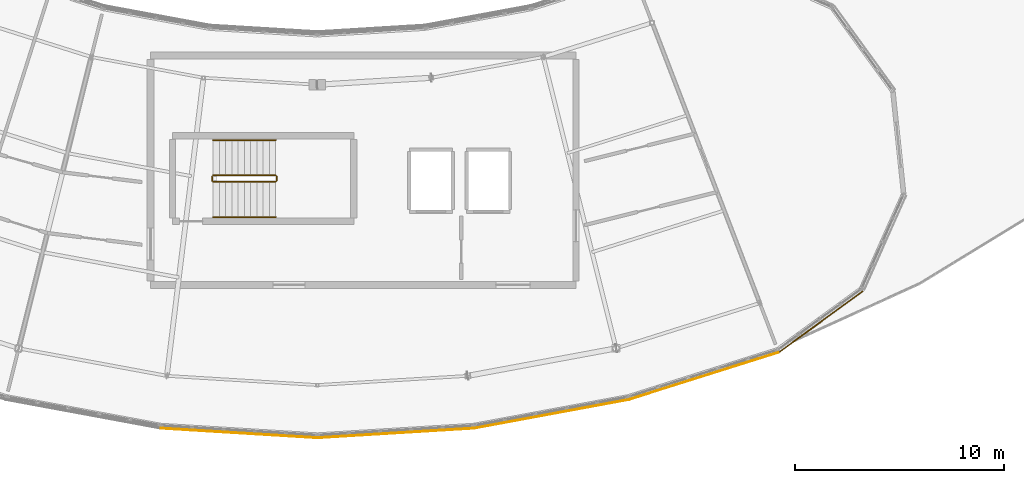
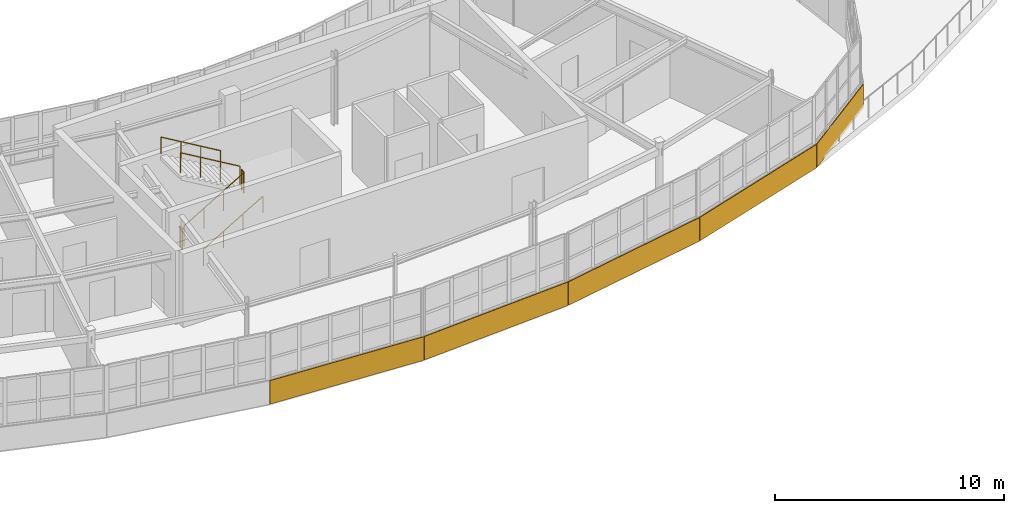
# One storey, part 60 of 65: 6 railings, 5 coverings.
"""IFC4 building model written with IfcOpenShell, lengths in metres."""

import ifcopenshell
import ifcopenshell.guid

model = None  # the IFC model being written
_history = None  # IfcOwnerHistory: only IFC2X3 demands one
_inside = {}  # id of a spatial element -> (the spatial element, [elements in it])
_under = {}  # id of a project, library or spatial element -> (it, [spatial elements below it])
_declared = {}  # id of a project -> (the project, [libraries it declares])
_typed = {}  # id of a type object -> (the type object, [elements of that type])
_made_of = {}  # id of a material, layer set ... -> (it, [elements and type objects made of it])


def new_model(schema):
    """Start an empty IFC model of exactly this schema.

    Asked for "IFC4X3", IfcOpenShell would pick the latest addendum, in which some entities
    have other attributes; the version numbers below select the first issue.
    IFC2X3 requires an IfcOwnerHistory on every rooted entity: one is made here for all.
    """
    global model, _history
    if schema == "IFC4X3":
        model = ifcopenshell.file(schema_version=(4, 3, 0, 0))
    else:
        model = ifcopenshell.file(schema=schema)
    _inside.clear()
    _under.clear()
    _declared.clear()
    _typed.clear()
    _made_of.clear()
    _history = None
    if model.schema == "IFC2X3":
        org = make("IfcOrganization", Name="unknown")
        user = make(
            "IfcPersonAndOrganization",
            ThePerson=make("IfcPerson", FamilyName="unknown"),
            TheOrganization=org,
        )
        app = make(
            "IfcApplication",
            ApplicationDeveloper=org,
            Version="unknown",
            ApplicationFullName="unknown",
            ApplicationIdentifier="unknown",
        )
        _history = make(
            "IfcOwnerHistory",
            OwningUser=user,
            OwningApplication=app,
            ChangeAction="ADDED",
            CreationDate=0,
        )
    return model


def make(cls, **values):
    """One entity of the class cls with the attributes given. An attribute that is None is left unset."""
    return model.create_entity(
        cls, **{name: value for name, value in values.items() if value is not None}
    )


def rooted(cls, **values):
    """An entity with a GlobalId (a new one), such as an element, a storey or a relation."""
    return make(cls, GlobalId=ifcopenshell.guid.new(), OwnerHistory=_history, **values)


def si_unit(unit_type, name, prefix=None):
    """IfcSIUnit, for example si_unit("LENGTHUNIT", "METRE", prefix="MILLI")."""
    return make("IfcSIUnit", UnitType=unit_type, Prefix=prefix, Name=name)


def assignment(units):
    """IfcUnitAssignment: the units of a project."""
    return None if units is None else make("IfcUnitAssignment", Units=units)


def point(xyz):
    """IfcCartesianPoint."""
    return None if xyz is None else make("IfcCartesianPoint", Coordinates=xyz)


def direction(xyz):
    """IfcDirection."""
    return None if xyz is None else make("IfcDirection", DirectionRatios=xyz)


def frame(location, z_axis=None, x_axis=None):
    """IfcAxis2Placement3D, a coordinate frame: its origin and axes. An axis left out is left unset."""
    return make(
        "IfcAxis2Placement3D",
        Location=point(location),
        Axis=direction(z_axis),
        RefDirection=direction(x_axis),
    )


def frame_2d(location, x_axis=None):
    """IfcAxis2Placement2D, a coordinate frame in the plane: its origin and x axis."""
    return make(
        "IfcAxis2Placement2D", Location=point(location), RefDirection=direction(x_axis)
    )


def origin():
    """The frame at (0, 0, 0) with its axes left unset."""
    return frame((0.0, 0.0, 0.0))


def origin_2d():
    """The frame at (0, 0) in the plane with its x axis left unset."""
    return frame_2d((0.0, 0.0))


def place(relative_to, where):
    """IfcLocalPlacement: puts the frame where relative to a parent placement (None: the world)."""
    return make(
        "IfcLocalPlacement", PlacementRelTo=relative_to, RelativePlacement=where
    )


def context(
    kind, dimensions, precision=None, world=None, true_north=None, identifier=None
):
    """IfcGeometricRepresentationContext, for example the 3D "Model" context."""
    return make(
        "IfcGeometricRepresentationContext",
        ContextIdentifier=identifier,
        ContextType=kind,
        CoordinateSpaceDimension=dimensions,
        Precision=precision,
        WorldCoordinateSystem=world,
        TrueNorth=true_north,
    )


def subcontext(parent, identifier, kind, view, scale=None):
    """IfcGeometricRepresentationSubContext, for example "Body" below "Model"."""
    return make(
        "IfcGeometricRepresentationSubContext",
        ContextIdentifier=identifier,
        ContextType=kind,
        ParentContext=parent,
        TargetScale=scale,
        TargetView=view,
    )


def project(units=None, contexts=None):
    """IfcProject with its units and contexts."""
    return rooted(
        "IfcProject",
        Name="project",
        RepresentationContexts=contexts,
        UnitsInContext=assignment(units),
    )


def spatial(cls, under=None, at=None, **own):
    """A site, building, storey or space (cls), placed at a placement, below another one or the project."""
    s = rooted(cls, ObjectPlacement=at, **own)
    if under is not None:
        _under.setdefault(under.id(), (under, []))[1].append(s)
    return s


def profile(cls, at=None, kind="AREA", **sizes):
    """A parametric profile (cls). Its sizes go by their IFC names, for example OverallWidth=200.0."""
    return make(cls, ProfileType=kind, Position=at, **sizes)


def rectangle(**sizes):
    """IfcRectangleProfileDef."""
    return profile("IfcRectangleProfileDef", **sizes)


def circle(**sizes):
    """IfcCircleProfileDef."""
    return profile("IfcCircleProfileDef", **sizes)


def extrude(swept, where, along, depth):
    """IfcExtrudedAreaSolid: the profile swept, set in the frame where, extruded along a direction by depth."""
    return make(
        "IfcExtrudedAreaSolid",
        SweptArea=swept,
        Position=where,
        ExtrudedDirection=direction(along),
        Depth=depth,
    )


def shape(context_of_items, identifier, shape_type, items):
    """IfcShapeRepresentation: the items that make up one representation, for example the "Body"."""
    return make(
        "IfcShapeRepresentation",
        ContextOfItems=context_of_items,
        RepresentationIdentifier=identifier,
        RepresentationType=shape_type,
        Items=items,
    )


def material(Name=None, Category=None):
    """IfcMaterial."""
    return make("IfcMaterial", Name=Name, Category=Category)


def layer(
    of_material, thickness, ventilated=None, Name=None, Category=None, Priority=None
):
    """IfcMaterialLayer: one layer of a wall or slab, of a material (None: an air gap)."""
    return make(
        "IfcMaterialLayer",
        Material=of_material,
        LayerThickness=thickness,
        IsVentilated=ventilated,
        Name=Name,
        Category=Category,
        Priority=Priority,
    )


def layer_set(layers, Name=None):
    """IfcMaterialLayerSet."""
    return make("IfcMaterialLayerSet", MaterialLayers=layers, LayerSetName=Name)


def made_of(thing, what):
    """Note that an element or type object is made of a material, layer set ...; save() writes the relation."""
    if what is not None:
        _made_of.setdefault(what.id(), (what, []))[1].append(thing)
    return thing


def type_object(cls, material=None, **own):
    """A type object (cls), such as IfcWallType, which elements share."""
    return made_of(rooted(cls, **own), material)


def element(
    cls,
    number,
    at=None,
    inside=None,
    cuts=None,
    type_object=None,
    material=None,
    context=None,
    identifier="Body",
    shape_type=None,
    held_by="IfcProductDefinitionShape",
    body=None,
    shapes=None,
    **own,
):
    """One element of the class cls, such as IfcWall. Its Tag is "e" and its number.

    at: its placement. inside: the storey or other place that contains it. cuts: it is an
    opening in that element (IfcRelVoidsElement). A single representation is given by context,
    identifier, shape_type and body (its items); several are given by shapes. held_by: the class
    of the entity that holds the representations. save() writes the other relations.
    """
    e = rooted(cls, Tag="e%d" % number, ObjectPlacement=at, **own)
    if body is not None:
        shapes = [shape(context, identifier, shape_type, body)]
    if shapes is not None:
        e.Representation = make(held_by, Representations=shapes)
    if inside is not None:
        _inside.setdefault(inside.id(), (inside, []))[1].append(e)
    if cuts is not None:
        rooted(
            "IfcRelVoidsElement", RelatingBuildingElement=cuts, RelatedOpeningElement=e
        )
    if type_object is not None:
        _typed.setdefault(type_object.id(), (type_object, []))[1].append(e)
    return made_of(e, material)


def aggregate(whole, parts):
    """IfcRelAggregates: a whole, such as a stair, and the parts it consists of."""
    return rooted("IfcRelAggregates", RelatingObject=whole, RelatedObjects=parts)


def save(model, path):
    """Write the relations noted so far, then the file.

    IfcRelAggregates (storeys below a building ...), IfcRelContainedInSpatialStructure (elements
    in a storey), IfcRelDefinesByType, IfcRelAssociatesMaterial and IfcRelDeclares: one each for
    every whole, place, type object, material and project.
    """
    for whole, parts in _under.values():
        aggregate(whole, parts)
    for where, things in _inside.values():
        rooted(
            "IfcRelContainedInSpatialStructure",
            RelatedElements=things,
            RelatingStructure=where,
        )
    for kind, things in _typed.values():
        rooted("IfcRelDefinesByType", RelatedObjects=things, RelatingType=kind)
    for what, things in _made_of.values():
        rooted("IfcRelAssociatesMaterial", RelatedObjects=things, RelatingMaterial=what)
    for by, libraries in _declared.values():
        rooted("IfcRelDeclares", RelatingContext=by, RelatedDefinitions=libraries)
    model.write(path)


model = new_model("IFC4")

# Units and contexts
model_context = context("Model", 3, precision=1e-05, world=origin(), true_north=direction((0.0, 1.0)))
body_context = subcontext(model_context, "Body", "Model", "MODEL_VIEW")
ifc_project = project(units=[si_unit("LENGTHUNIT", "METRE"), si_unit("AREAUNIT", "SQUARE_METRE"), si_unit("VOLUMEUNIT", "CUBIC_METRE"), si_unit("PLANEANGLEUNIT", "RADIAN"), si_unit("MASSUNIT", "GRAM", prefix="KILO")], contexts=[model_context])

# Site, building, storey
site_placement = place(None, origin())
site = spatial("IfcSite", under=ifc_project, at=site_placement, CompositionType="ELEMENT")
building_placement = place(site_placement, origin())
building = spatial("IfcBuilding", under=site, at=building_placement, Name="Tarnwether General Hospital", CompositionType="ELEMENT")
storey_placement = place(building_placement, frame((0.0, 0.0, 22.199951171875)))
storey = spatial("IfcBuildingStorey", under=building, at=storey_placement, Name="L05", CompositionType="ELEMENT", Elevation=22.199951171875)

# Coverings
ifc_material_1 = material(Name="Streamlined white enamelled aluminium", Category="aluminium")
ifc_layer = layer(ifc_material_1, 0.044921875)
ifc_layer_set = layer_set([ifc_layer], Name="Streamlined white enamelled aluminium")
covering_type = type_object("IfcCoveringType", Name="CV-CLD-WHT", PredefinedType="CLADDING", material=ifc_layer_set)
for number, where, z_axis, x_axis, name in (
    (1, (88.238037109375, 1.498046875, -0.175048828125), (0.0, 0.0, 1.0), (-0.998135863768, 0.061031118787, 0.0), "Streamlined White Horizontal Band SE L05 05"),
    (2, (95.761962890625, 1.498046875, -0.175048828125), (0.0, 0.0, 1.0), (-0.998135863768, -0.061031118787, 0.0), "Streamlined White Horizontal Band SE L05 06"),
    (3, (103.22900390625, 2.4150390625, -0.175048828125), (0.0, 0.0, 1.0), (-0.983245364386, -0.182287008349, 0.0), "Streamlined White Horizontal Band SE L05 07"),
    (4, (110.528076171875, 4.235107421875, -0.175048828125), (0.0, 0.0, 1.0), (-0.953743188648, -0.300622570855, 0.0), "Streamlined White Horizontal Band SE L05 08"),
):
    element("IfcCovering", number, at=place(storey_placement, frame(where, z_axis=z_axis, x_axis=x_axis)), inside=storey, type_object=covering_type, Name=name, PredefinedType="CLADDING", context=body_context, shape_type="SweptSolid", body=[
        extrude(rectangle(XDim=7.52099609375, YDim=0.044921875, at=origin_2d()), origin(), (0.0, 0.0, 1.0), 1.25),
    ])
covering_placement = place(storey_placement, frame((116.1630859375, 6.844970703125, -0.175048828125), z_axis=(0.0, 0.0, 1.0), x_axis=(-0.809058027555, -0.587728770819, 0.0)))
element("IfcCovering", 5, at=covering_placement, inside=storey, type_object=covering_type, Name="Streamlined White Horizontal Band SE L05 09", PredefinedType="CLADDING", context=body_context, shape_type="SweptSolid", body=[
    extrude(rectangle(XDim=4.969970703125, YDim=0.044921875, at=origin_2d()), origin(), (0.0, 0.0, 1.0), 1.25),
])

# Railings
ifc_material_2 = material(Name="Anodised aluminium", Category="aluminium")
railing_type_1 = type_object("IfcRailingType", Name="RL-GRD-INT", PredefinedType="GUARDRAIL", material=ifc_material_2)
railing_1_placement = place(storey_placement, frame((87.0, 13.550048828125, 0.17724609375)))
element("IfcRailing", 6, at=railing_1_placement, inside=storey, type_object=railing_type_1, Name="L05 ST-02 stair guard 1", PredefinedType="GUARDRAIL", context=body_context, shape_type="SweptSolid", body=[
    extrude(circle(Radius=0.02392578125, at=origin_2d()), frame((0.0, 0.0, 1.076171875), z_axis=(0.86092931783, 0.0, 0.508724591208), x_axis=(0.0, 1.0, 0.0)), (0.0, 0.0, 1.0), 3.484619140625),
    extrude(circle(Radius=0.02099609375, at=origin_2d()), origin(), (0.0, 0.0, 1.0), 1.052001953125),
    extrude(circle(Radius=0.02099609375, at=origin_2d()), frame((1.0, 0.0, 0.5908203125)), (0.0, 0.0, 1.0), 1.052001953125),
    extrude(circle(Radius=0.02099609375, at=origin_2d()), frame((2.0, 0.0, 1.181884765625)), (0.0, 0.0, 1.0), 1.052001953125),
    extrude(circle(Radius=0.02099609375, at=origin_2d()), frame((3.0, 0.0, 1.772705078125)), (0.0, 0.0, 1.0), 1.052001953125),
])
railing_2_placement = place(storey_placement, frame((90.050048828125, 13.60009765625, 1.949951171875)))
element("IfcRailing", 7, at=railing_2_placement, inside=storey, type_object=railing_type_1, Name="L05 ST-02 stair guard 2", PredefinedType="GUARDRAIL", context=body_context, shape_type="SweptSolid", body=[
    extrude(circle(Radius=0.02392578125, at=origin_2d()), frame((0.0, 0.0, 1.076171875), z_axis=(0.0, 1.0, 0.0), x_axis=(-1.0, 0.0, 0.0)), (0.0, 0.0, 1.0), 0.199951171875),
    extrude(circle(Radius=0.02099609375, at=origin_2d()), origin(), (0.0, 0.0, 1.0), 1.052001953125),
    extrude(circle(Radius=0.02099609375, at=origin_2d()), frame((0.0, 0.199951171875, 0.0)), (0.0, 0.0, 1.0), 1.052001953125),
])
railing_3_placement = place(storey_placement, frame((90.0, 13.85009765625, 2.12744140625)))
element("IfcRailing", 8, at=railing_3_placement, inside=storey, type_object=railing_type_1, Name="L05 ST-02 stair guard 3", PredefinedType="GUARDRAIL", context=body_context, shape_type="SweptSolid", body=[
    extrude(circle(Radius=0.02392578125, at=origin_2d()), frame((0.0, 0.0, 1.076171875), z_axis=(-0.86092931783, 0.0, 0.508724591208), x_axis=(0.0, -1.0, 0.0)), (0.0, 0.0, 1.0), 3.484619140625),
    extrude(circle(Radius=0.02099609375, at=origin_2d()), origin(), (0.0, 0.0, 1.0), 1.052001953125),
    extrude(circle(Radius=0.02099609375, at=origin_2d()), frame((-1.0, 0.0, 0.5908203125)), (0.0, 0.0, 1.0), 1.052001953125),
    extrude(circle(Radius=0.02099609375, at=origin_2d()), frame((-2.0, 0.0, 1.181884765625)), (0.0, 0.0, 1.0), 1.052001953125),
    extrude(circle(Radius=0.02099609375, at=origin_2d()), frame((-3.0, 0.0, 1.772705078125)), (0.0, 0.0, 1.0), 1.052001953125),
])
railing_4_placement = place(storey_placement, frame((86.949951171875, 13.60009765625, 0.0)))
element("IfcRailing", 9, at=railing_4_placement, inside=storey, type_object=railing_type_1, Name="L05 ST-02 stair guard 4", PredefinedType="GUARDRAIL", context=body_context, shape_type="SweptSolid", body=[
    extrude(circle(Radius=0.02392578125, at=origin_2d()), frame((0.0, 0.0, 1.076171875), z_axis=(0.0, 1.0, 0.0), x_axis=(-1.0, 0.0, 0.0)), (0.0, 0.0, 1.0), 0.199951171875),
    extrude(circle(Radius=0.02099609375, at=origin_2d()), origin(), (0.0, 0.0, 1.0), 1.052001953125),
    extrude(circle(Radius=0.02099609375, at=origin_2d()), frame((0.0, 0.199951171875, 0.0)), (0.0, 0.0, 1.0), 1.052001953125),
])
ifc_material_3 = material(Name="Anodised aluminium", Category="aluminium")
railing_type_2 = type_object("IfcRailingType", Name="RL-HND-INT", PredefinedType="HANDRAIL", material=ifc_material_3)
railing_5_placement = place(storey_placement, frame((87.0, 11.85009765625, 0.17724609375)))
element("IfcRailing", 10, at=railing_5_placement, inside=storey, type_object=railing_type_2, Name="L05 ST-02 stair handrail 1", PredefinedType="HANDRAIL", context=body_context, shape_type="SweptSolid", body=[
    extrude(circle(Radius=0.02392578125, at=origin_2d()), frame((0.0, 0.0, 0.8759765625), z_axis=(0.86092931783, 0.0, 0.508724591208), x_axis=(0.0, 1.0, 0.0)), (0.0, 0.0, 1.0), 3.484619140625),
    extrude(circle(Radius=0.02099609375, at=origin_2d()), origin(), (0.0, 0.0, 1.0), 0.851806640625),
    extrude(circle(Radius=0.02099609375, at=origin_2d()), frame((1.0, 0.0, 0.5908203125)), (0.0, 0.0, 1.0), 0.851806640625),
    extrude(circle(Radius=0.02099609375, at=origin_2d()), frame((2.0, 0.0, 1.181884765625)), (0.0, 0.0, 1.0), 0.851806640625),
    extrude(circle(Radius=0.02099609375, at=origin_2d()), frame((3.0, 0.0, 1.772705078125)), (0.0, 0.0, 1.0), 0.851806640625),
])
railing_6_placement = place(storey_placement, frame((90.0, 15.550048828125, 2.12744140625)))
element("IfcRailing", 11, at=railing_6_placement, inside=storey, type_object=railing_type_2, Name="L05 ST-02 stair handrail 2", PredefinedType="HANDRAIL", context=body_context, shape_type="SweptSolid", body=[
    extrude(circle(Radius=0.02392578125, at=origin_2d()), frame((0.0, 0.0, 0.8759765625), z_axis=(-0.86092931783, 0.0, 0.508724591208), x_axis=(0.0, -1.0, 0.0)), (0.0, 0.0, 1.0), 3.484619140625),
    extrude(circle(Radius=0.02099609375, at=origin_2d()), origin(), (0.0, 0.0, 1.0), 0.851806640625),
    extrude(circle(Radius=0.02099609375, at=origin_2d()), frame((-1.0, 0.0, 0.5908203125)), (0.0, 0.0, 1.0), 0.851806640625),
    extrude(circle(Radius=0.02099609375, at=origin_2d()), frame((-2.0, 0.0, 1.181884765625)), (0.0, 0.0, 1.0), 0.851806640625),
    extrude(circle(Radius=0.02099609375, at=origin_2d()), frame((-3.0, 0.0, 1.772705078125)), (0.0, 0.0, 1.0), 0.851806640625),
])

save(model, "model.ifc")
